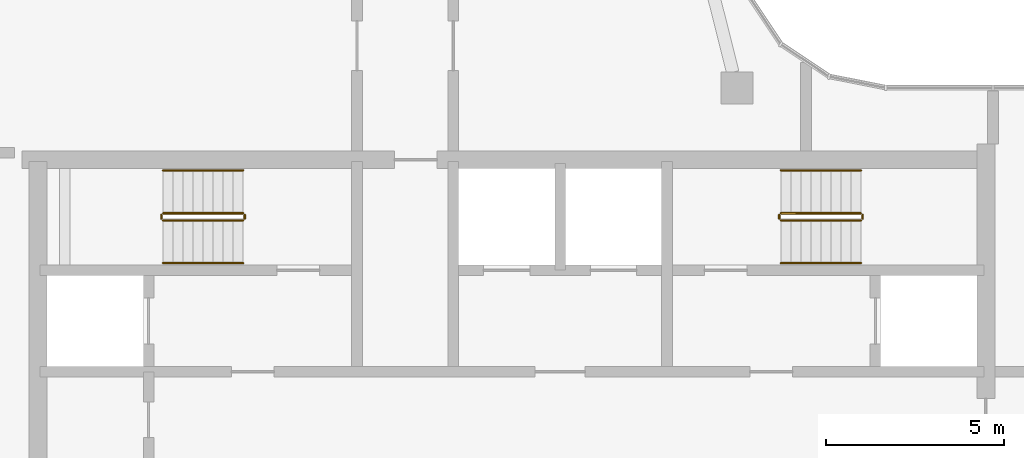
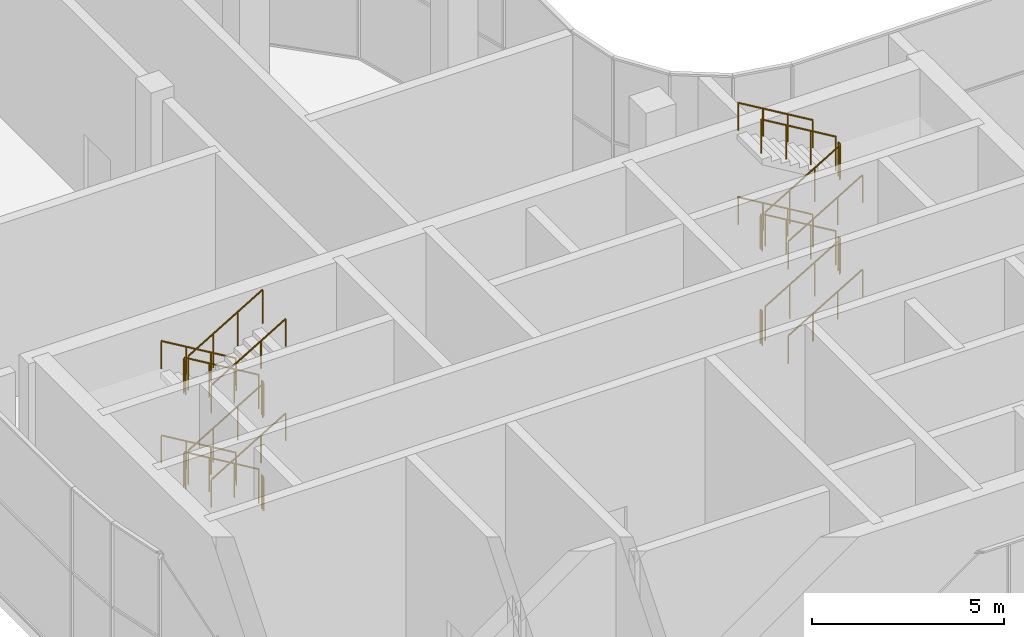
# One storey, part 18 of 19: 24 railings.
"""IFC4 building model written with IfcOpenShell, lengths in metres."""

from ifc_helpers import new_model, si_unit, direction, frame, origin, origin_2d, place, context, subcontext, project, spatial, circle, extrude, material, type_object, element, save


model = new_model("IFC4")

# Units and contexts
model_context = context("Model", 3, precision=1e-05, world=origin(), true_north=direction((0.0, 1.0)))
body_context = subcontext(model_context, "Body", "Model", "MODEL_VIEW")
ifc_project = project(units=[si_unit("LENGTHUNIT", "METRE"), si_unit("AREAUNIT", "SQUARE_METRE"), si_unit("VOLUMEUNIT", "CUBIC_METRE"), si_unit("PLANEANGLEUNIT", "RADIAN"), si_unit("MASSUNIT", "GRAM", prefix="KILO")], contexts=[model_context])

# Site, building, storey
site_placement = place(None, origin())
site = spatial("IfcSite", under=ifc_project, at=site_placement, CompositionType="ELEMENT")
building_placement = place(site_placement, origin())
building = spatial("IfcBuilding", under=site, at=building_placement, Name="Ogive Portal Towers", CompositionType="ELEMENT")
storey_placement = place(building_placement, frame((0.0, 0.0, 254.89990234375)))
storey = spatial("IfcBuildingStorey", under=building, at=storey_placement, Name="L63", CompositionType="ELEMENT", Elevation=254.89990234375)

# Railings
ifc_material_1 = material(Name="Stainless steel balustrade", Category="steel")
railing_type_1 = type_object("IfcRailingType", Name="INT-GUARD", PredefinedType="GUARDRAIL", material=ifc_material_1)
railing_1_placement = place(storey_placement, frame((37.449951171875, 37.800048828125, 0.166748046875)))
element("IfcRailing", 1, at=railing_1_placement, inside=storey, type_object=railing_type_1, Name="L63 ST-A1 stair guard 1", PredefinedType="GUARDRAIL", context=body_context, shape_type="SweptSolid", body=[
    extrude(circle(Radius=0.02392578125, at=origin_2d()), frame((0.0, 0.0, 1.076171875), z_axis=(-0.859305625298, 0.0, 0.511462454469), x_axis=(0.0, -1.0, 0.0)), (0.0, 0.0, 1.0), 2.606689453125),
    extrude(circle(Radius=0.02099609375, at=origin_2d()), origin(), (0.0, 0.0, 1.0), 1.052001953125),
    extrude(circle(Radius=0.02099609375, at=origin_2d()), frame((-0.74658203125, 0.0, 0.4443359375)), (0.0, 0.0, 1.0), 1.052001953125),
    extrude(circle(Radius=0.02099609375, at=origin_2d()), frame((-1.493408203125, 0.0, 0.888916015625)), (0.0, 0.0, 1.0), 1.052001953125),
    extrude(circle(Radius=0.02099609375, at=origin_2d()), frame((-2.239990234375, 0.0, 1.333251953125)), (0.0, 0.0, 1.0), 1.052001953125),
])
railing_2_placement = place(storey_placement, frame((35.159912109375, 37.75, 1.5)))
element("IfcRailing", 2, at=railing_2_placement, inside=storey, type_object=railing_type_1, Name="L63 ST-A1 stair guard 2", PredefinedType="GUARDRAIL", context=body_context, shape_type="SweptSolid", body=[
    extrude(circle(Radius=0.02392578125, at=origin_2d()), frame((0.0, 0.0, 1.076171875), z_axis=(0.0, -1.0, 0.0), x_axis=(1.0, 0.0, 0.0)), (0.0, 0.0, 1.0), 0.10009765625),
    extrude(circle(Radius=0.02099609375, at=origin_2d()), origin(), (0.0, 0.0, 1.0), 1.052001953125),
    extrude(circle(Radius=0.02099609375, at=origin_2d()), frame((0.0, -0.10009765625, 0.0)), (0.0, 0.0, 1.0), 1.052001953125),
])
railing_3_placement = place(storey_placement, frame((35.2099609375, 37.60009765625, 1.666748046875)))
element("IfcRailing", 3, at=railing_3_placement, inside=storey, type_object=railing_type_1, Name="L63 ST-A1 stair guard 3", PredefinedType="GUARDRAIL", context=body_context, shape_type="SweptSolid", body=[
    extrude(circle(Radius=0.02392578125, at=origin_2d()), frame((0.0, 0.0, 1.076171875), z_axis=(0.859305625298, 0.0, 0.511462454469), x_axis=(0.0, 1.0, 0.0)), (0.0, 0.0, 1.0), 2.606689453125),
    extrude(circle(Radius=0.02099609375, at=origin_2d()), origin(), (0.0, 0.0, 1.0), 1.052001953125),
    extrude(circle(Radius=0.02099609375, at=origin_2d()), frame((0.74658203125, 0.0, 0.4443359375)), (0.0, 0.0, 1.0), 1.052001953125),
    extrude(circle(Radius=0.02099609375, at=origin_2d()), frame((1.493408203125, 0.0, 0.888916015625)), (0.0, 0.0, 1.0), 1.052001953125),
    extrude(circle(Radius=0.02099609375, at=origin_2d()), frame((2.239990234375, 0.0, 1.333251953125)), (0.0, 0.0, 1.0), 1.052001953125),
])
railing_4_placement = place(storey_placement, frame((37.5, 37.75, 3.0)))
element("IfcRailing", 4, at=railing_4_placement, inside=storey, type_object=railing_type_1, Name="L63 ST-A1 stair guard 4", PredefinedType="GUARDRAIL", context=body_context, shape_type="SweptSolid", body=[
    extrude(circle(Radius=0.02392578125, at=origin_2d()), frame((0.0, 0.0, 1.076171875), z_axis=(0.0, -1.0, 0.0), x_axis=(1.0, 0.0, 0.0)), (0.0, 0.0, 1.0), 0.10009765625),
    extrude(circle(Radius=0.02099609375, at=origin_2d()), origin(), (0.0, 0.0, 1.0), 1.052001953125),
    extrude(circle(Radius=0.02099609375, at=origin_2d()), frame((0.0, -0.10009765625, 0.0)), (0.0, 0.0, 1.0), 1.052001953125),
])
railing_5_placement = place(storey_placement, frame((37.449951171875, 37.800048828125, 3.166748046875)))
element("IfcRailing", 5, at=railing_5_placement, inside=storey, type_object=railing_type_1, Name="L63 ST-A1 stair guard 5", PredefinedType="GUARDRAIL", context=body_context, shape_type="SweptSolid", body=[
    extrude(circle(Radius=0.02392578125, at=origin_2d()), frame((0.0, 0.0, 1.076171875), z_axis=(-0.859305625298, 0.0, 0.511462454469), x_axis=(0.0, -1.0, 0.0)), (0.0, 0.0, 1.0), 2.606689453125),
    extrude(circle(Radius=0.02099609375, at=origin_2d()), origin(), (0.0, 0.0, 1.0), 1.052001953125),
    extrude(circle(Radius=0.02099609375, at=origin_2d()), frame((-0.74658203125, 0.0, 0.4443359375)), (0.0, 0.0, 1.0), 1.052001953125),
    extrude(circle(Radius=0.02099609375, at=origin_2d()), frame((-1.493408203125, 0.0, 0.888916015625)), (0.0, 0.0, 1.0), 1.052001953125),
    extrude(circle(Radius=0.02099609375, at=origin_2d()), frame((-2.239990234375, 0.0, 1.333251953125)), (0.0, 0.0, 1.0), 1.052001953125),
])
railing_6_placement = place(storey_placement, frame((35.159912109375, 37.75, 4.5)))
element("IfcRailing", 6, at=railing_6_placement, inside=storey, type_object=railing_type_1, Name="L63 ST-A1 stair guard 6", PredefinedType="GUARDRAIL", context=body_context, shape_type="SweptSolid", body=[
    extrude(circle(Radius=0.02392578125, at=origin_2d()), frame((0.0, 0.0, 1.076171875), z_axis=(0.0, -1.0, 0.0), x_axis=(1.0, 0.0, 0.0)), (0.0, 0.0, 1.0), 0.10009765625),
    extrude(circle(Radius=0.02099609375, at=origin_2d()), origin(), (0.0, 0.0, 1.0), 1.052001953125),
    extrude(circle(Radius=0.02099609375, at=origin_2d()), frame((0.0, -0.10009765625, 0.0)), (0.0, 0.0, 1.0), 1.052001953125),
])
railing_7_placement = place(storey_placement, frame((35.2099609375, 37.60009765625, 4.666748046875)))
element("IfcRailing", 7, at=railing_7_placement, inside=storey, type_object=railing_type_1, Name="L63 ST-A1 stair guard 7", PredefinedType="GUARDRAIL", context=body_context, shape_type="SweptSolid", body=[
    extrude(circle(Radius=0.02392578125, at=origin_2d()), frame((0.0, 0.0, 1.076171875), z_axis=(0.859305625298, 0.0, 0.511462454469), x_axis=(0.0, 1.0, 0.0)), (0.0, 0.0, 1.0), 2.606689453125),
    extrude(circle(Radius=0.02099609375, at=origin_2d()), origin(), (0.0, 0.0, 1.0), 1.052001953125),
    extrude(circle(Radius=0.02099609375, at=origin_2d()), frame((0.74658203125, 0.0, 0.4443359375)), (0.0, 0.0, 1.0), 1.052001953125),
    extrude(circle(Radius=0.02099609375, at=origin_2d()), frame((1.493408203125, 0.0, 0.888916015625)), (0.0, 0.0, 1.0), 1.052001953125),
    extrude(circle(Radius=0.02099609375, at=origin_2d()), frame((2.239990234375, 0.0, 1.333251953125)), (0.0, 0.0, 1.0), 1.052001953125),
])
railing_8_placement = place(storey_placement, frame((37.5, 37.75, 0.0)))
element("IfcRailing", 8, at=railing_8_placement, inside=storey, type_object=railing_type_1, Name="L63 ST-A1 stair guard 8", PredefinedType="GUARDRAIL", context=body_context, shape_type="SweptSolid", body=[
    extrude(circle(Radius=0.02392578125, at=origin_2d()), frame((0.0, 0.0, 1.076171875), z_axis=(0.0, -1.0, 0.0), x_axis=(1.0, 0.0, 0.0)), (0.0, 0.0, 1.0), 0.10009765625),
    extrude(circle(Radius=0.02099609375, at=origin_2d()), origin(), (0.0, 0.0, 1.0), 1.052001953125),
    extrude(circle(Radius=0.02099609375, at=origin_2d()), frame((0.0, -0.10009765625, 0.0)), (0.0, 0.0, 1.0), 1.052001953125),
])
railing_9_placement = place(storey_placement, frame((52.550048828125, 37.60009765625, 0.166748046875)))
element("IfcRailing", 9, at=railing_9_placement, inside=storey, type_object=railing_type_1, Name="L63 ST-A2 stair guard 1", PredefinedType="GUARDRAIL", context=body_context, shape_type="SweptSolid", body=[
    extrude(circle(Radius=0.02392578125, at=origin_2d()), frame((0.0, 0.0, 1.076171875), z_axis=(0.859305625298, 0.0, 0.511462454469), x_axis=(0.0, 1.0, 0.0)), (0.0, 0.0, 1.0), 2.606689453125),
    extrude(circle(Radius=0.02099609375, at=origin_2d()), origin(), (0.0, 0.0, 1.0), 1.052001953125),
    extrude(circle(Radius=0.02099609375, at=origin_2d()), frame((0.74658203125, 0.0, 0.4443359375)), (0.0, 0.0, 1.0), 1.052001953125),
    extrude(circle(Radius=0.02099609375, at=origin_2d()), frame((1.493408203125, 0.0, 0.888916015625)), (0.0, 0.0, 1.0), 1.052001953125),
    extrude(circle(Radius=0.02099609375, at=origin_2d()), frame((2.239990234375, 0.0, 1.333251953125)), (0.0, 0.0, 1.0), 1.052001953125),
])
railing_10_placement = place(storey_placement, frame((54.840087890625, 37.64990234375, 1.5)))
element("IfcRailing", 10, at=railing_10_placement, inside=storey, type_object=railing_type_1, Name="L63 ST-A2 stair guard 2", PredefinedType="GUARDRAIL", context=body_context, shape_type="SweptSolid", body=[
    extrude(circle(Radius=0.02392578125, at=origin_2d()), frame((0.0, 0.0, 1.076171875), z_axis=(0.0, 1.0, 0.0), x_axis=(-1.0, 0.0, 0.0)), (0.0, 0.0, 1.0), 0.10009765625),
    extrude(circle(Radius=0.02099609375, at=origin_2d()), origin(), (0.0, 0.0, 1.0), 1.052001953125),
    extrude(circle(Radius=0.02099609375, at=origin_2d()), frame((0.0, 0.10009765625, 0.0)), (0.0, 0.0, 1.0), 1.052001953125),
])
railing_11_placement = place(storey_placement, frame((54.7900390625, 37.800048828125, 1.666748046875)))
element("IfcRailing", 11, at=railing_11_placement, inside=storey, type_object=railing_type_1, Name="L63 ST-A2 stair guard 3", PredefinedType="GUARDRAIL", context=body_context, shape_type="SweptSolid", body=[
    extrude(circle(Radius=0.02392578125, at=origin_2d()), frame((0.0, 0.0, 1.076171875), z_axis=(-0.859305625298, 0.0, 0.511462454469), x_axis=(0.0, -1.0, 0.0)), (0.0, 0.0, 1.0), 2.606689453125),
    extrude(circle(Radius=0.02099609375, at=origin_2d()), origin(), (0.0, 0.0, 1.0), 1.052001953125),
    extrude(circle(Radius=0.02099609375, at=origin_2d()), frame((-0.74658203125, 0.0, 0.4443359375)), (0.0, 0.0, 1.0), 1.052001953125),
    extrude(circle(Radius=0.02099609375, at=origin_2d()), frame((-1.493408203125, 0.0, 0.888916015625)), (0.0, 0.0, 1.0), 1.052001953125),
    extrude(circle(Radius=0.02099609375, at=origin_2d()), frame((-2.239990234375, 0.0, 1.333251953125)), (0.0, 0.0, 1.0), 1.052001953125),
])
railing_12_placement = place(storey_placement, frame((52.5, 37.64990234375, 3.0)))
element("IfcRailing", 12, at=railing_12_placement, inside=storey, type_object=railing_type_1, Name="L63 ST-A2 stair guard 4", PredefinedType="GUARDRAIL", context=body_context, shape_type="SweptSolid", body=[
    extrude(circle(Radius=0.02392578125, at=origin_2d()), frame((0.0, 0.0, 1.076171875), z_axis=(0.0, 1.0, 0.0), x_axis=(-1.0, 0.0, 0.0)), (0.0, 0.0, 1.0), 0.10009765625),
    extrude(circle(Radius=0.02099609375, at=origin_2d()), origin(), (0.0, 0.0, 1.0), 1.052001953125),
    extrude(circle(Radius=0.02099609375, at=origin_2d()), frame((0.0, 0.10009765625, 0.0)), (0.0, 0.0, 1.0), 1.052001953125),
])
railing_13_placement = place(storey_placement, frame((52.550048828125, 37.60009765625, 3.166748046875)))
element("IfcRailing", 13, at=railing_13_placement, inside=storey, type_object=railing_type_1, Name="L63 ST-A2 stair guard 5", PredefinedType="GUARDRAIL", context=body_context, shape_type="SweptSolid", body=[
    extrude(circle(Radius=0.02392578125, at=origin_2d()), frame((0.0, 0.0, 1.076171875), z_axis=(0.859305625298, 0.0, 0.511462454469), x_axis=(0.0, 1.0, 0.0)), (0.0, 0.0, 1.0), 2.606689453125),
    extrude(circle(Radius=0.02099609375, at=origin_2d()), origin(), (0.0, 0.0, 1.0), 1.052001953125),
    extrude(circle(Radius=0.02099609375, at=origin_2d()), frame((0.74658203125, 0.0, 0.4443359375)), (0.0, 0.0, 1.0), 1.052001953125),
    extrude(circle(Radius=0.02099609375, at=origin_2d()), frame((1.493408203125, 0.0, 0.888916015625)), (0.0, 0.0, 1.0), 1.052001953125),
    extrude(circle(Radius=0.02099609375, at=origin_2d()), frame((2.239990234375, 0.0, 1.333251953125)), (0.0, 0.0, 1.0), 1.052001953125),
])
railing_14_placement = place(storey_placement, frame((54.840087890625, 37.64990234375, 4.5)))
element("IfcRailing", 14, at=railing_14_placement, inside=storey, type_object=railing_type_1, Name="L63 ST-A2 stair guard 6", PredefinedType="GUARDRAIL", context=body_context, shape_type="SweptSolid", body=[
    extrude(circle(Radius=0.02392578125, at=origin_2d()), frame((0.0, 0.0, 1.076171875), z_axis=(0.0, 1.0, 0.0), x_axis=(-1.0, 0.0, 0.0)), (0.0, 0.0, 1.0), 0.10009765625),
    extrude(circle(Radius=0.02099609375, at=origin_2d()), origin(), (0.0, 0.0, 1.0), 1.052001953125),
    extrude(circle(Radius=0.02099609375, at=origin_2d()), frame((0.0, 0.10009765625, 0.0)), (0.0, 0.0, 1.0), 1.052001953125),
])
railing_15_placement = place(storey_placement, frame((54.7900390625, 37.800048828125, 4.666748046875)))
element("IfcRailing", 15, at=railing_15_placement, inside=storey, type_object=railing_type_1, Name="L63 ST-A2 stair guard 7", PredefinedType="GUARDRAIL", context=body_context, shape_type="SweptSolid", body=[
    extrude(circle(Radius=0.02392578125, at=origin_2d()), frame((0.0, 0.0, 1.076171875), z_axis=(-0.859305625298, 0.0, 0.511462454469), x_axis=(0.0, -1.0, 0.0)), (0.0, 0.0, 1.0), 2.606689453125),
    extrude(circle(Radius=0.02099609375, at=origin_2d()), origin(), (0.0, 0.0, 1.0), 1.052001953125),
    extrude(circle(Radius=0.02099609375, at=origin_2d()), frame((-0.74658203125, 0.0, 0.4443359375)), (0.0, 0.0, 1.0), 1.052001953125),
    extrude(circle(Radius=0.02099609375, at=origin_2d()), frame((-1.493408203125, 0.0, 0.888916015625)), (0.0, 0.0, 1.0), 1.052001953125),
    extrude(circle(Radius=0.02099609375, at=origin_2d()), frame((-2.239990234375, 0.0, 1.333251953125)), (0.0, 0.0, 1.0), 1.052001953125),
])
railing_16_placement = place(storey_placement, frame((52.5, 37.64990234375, 0.0)))
element("IfcRailing", 16, at=railing_16_placement, inside=storey, type_object=railing_type_1, Name="L63 ST-A2 stair guard 8", PredefinedType="GUARDRAIL", context=body_context, shape_type="SweptSolid", body=[
    extrude(circle(Radius=0.02392578125, at=origin_2d()), frame((0.0, 0.0, 1.076171875), z_axis=(0.0, 1.0, 0.0), x_axis=(-1.0, 0.0, 0.0)), (0.0, 0.0, 1.0), 0.10009765625),
    extrude(circle(Radius=0.02099609375, at=origin_2d()), origin(), (0.0, 0.0, 1.0), 1.052001953125),
    extrude(circle(Radius=0.02099609375, at=origin_2d()), frame((0.0, 0.10009765625, 0.0)), (0.0, 0.0, 1.0), 1.052001953125),
])
ifc_material_2 = material(Name="Stainless steel handrail", Category="steel")
railing_type_2 = type_object("IfcRailingType", Name="INT-HANDRAIL", PredefinedType="HANDRAIL", material=ifc_material_2)
railing_17_placement = place(storey_placement, frame((37.449951171875, 39.0, 0.166748046875)))
element("IfcRailing", 17, at=railing_17_placement, inside=storey, type_object=railing_type_2, Name="L63 ST-A1 stair handrail 1", PredefinedType="HANDRAIL", context=body_context, shape_type="SweptSolid", body=[
    extrude(circle(Radius=0.02392578125, at=origin_2d()), frame((0.0, 0.0, 0.8759765625), z_axis=(-0.859305625298, 0.0, 0.511462454469), x_axis=(0.0, -1.0, 0.0)), (0.0, 0.0, 1.0), 2.606689453125),
    extrude(circle(Radius=0.02099609375, at=origin_2d()), origin(), (0.0, 0.0, 1.0), 0.851806640625),
    extrude(circle(Radius=0.02099609375, at=origin_2d()), frame((-0.74658203125, 0.0, 0.4443359375)), (0.0, 0.0, 1.0), 0.851806640625),
    extrude(circle(Radius=0.02099609375, at=origin_2d()), frame((-1.493408203125, 0.0, 0.888916015625)), (0.0, 0.0, 1.0), 0.851806640625),
    extrude(circle(Radius=0.02099609375, at=origin_2d()), frame((-2.239990234375, 0.0, 1.333251953125)), (0.0, 0.0, 1.0), 0.851806640625),
])
railing_18_placement = place(storey_placement, frame((35.2099609375, 36.39990234375, 1.666748046875)))
element("IfcRailing", 18, at=railing_18_placement, inside=storey, type_object=railing_type_2, Name="L63 ST-A1 stair handrail 2", PredefinedType="HANDRAIL", context=body_context, shape_type="SweptSolid", body=[
    extrude(circle(Radius=0.02392578125, at=origin_2d()), frame((0.0, 0.0, 0.8759765625), z_axis=(0.859305625298, 0.0, 0.511462454469), x_axis=(0.0, 1.0, 0.0)), (0.0, 0.0, 1.0), 2.606689453125),
    extrude(circle(Radius=0.02099609375, at=origin_2d()), origin(), (0.0, 0.0, 1.0), 0.851806640625),
    extrude(circle(Radius=0.02099609375, at=origin_2d()), frame((0.74658203125, 0.0, 0.4443359375)), (0.0, 0.0, 1.0), 0.851806640625),
    extrude(circle(Radius=0.02099609375, at=origin_2d()), frame((1.493408203125, 0.0, 0.888916015625)), (0.0, 0.0, 1.0), 0.851806640625),
    extrude(circle(Radius=0.02099609375, at=origin_2d()), frame((2.239990234375, 0.0, 1.333251953125)), (0.0, 0.0, 1.0), 0.851806640625),
])
railing_19_placement = place(storey_placement, frame((37.449951171875, 39.0, 3.166748046875)))
element("IfcRailing", 19, at=railing_19_placement, inside=storey, type_object=railing_type_2, Name="L63 ST-A1 stair handrail 3", PredefinedType="HANDRAIL", context=body_context, shape_type="SweptSolid", body=[
    extrude(circle(Radius=0.02392578125, at=origin_2d()), frame((0.0, 0.0, 0.8759765625), z_axis=(-0.859305625298, 0.0, 0.511462454469), x_axis=(0.0, -1.0, 0.0)), (0.0, 0.0, 1.0), 2.606689453125),
    extrude(circle(Radius=0.02099609375, at=origin_2d()), origin(), (0.0, 0.0, 1.0), 0.851806640625),
    extrude(circle(Radius=0.02099609375, at=origin_2d()), frame((-0.74658203125, 0.0, 0.4443359375)), (0.0, 0.0, 1.0), 0.851806640625),
    extrude(circle(Radius=0.02099609375, at=origin_2d()), frame((-1.493408203125, 0.0, 0.888916015625)), (0.0, 0.0, 1.0), 0.851806640625),
    extrude(circle(Radius=0.02099609375, at=origin_2d()), frame((-2.239990234375, 0.0, 1.333251953125)), (0.0, 0.0, 1.0), 0.851806640625),
])
for number, where, name in (
    (20, (35.2099609375, 36.39990234375, 4.666748046875), "L63 ST-A1 stair handrail 4"),
    (21, (52.550048828125, 36.39990234375, 0.166748046875), "L63 ST-A2 stair handrail 1"),
):
    element("IfcRailing", number, at=place(storey_placement, frame(where)), inside=storey, type_object=railing_type_2, Name=name, PredefinedType="HANDRAIL", context=body_context, shape_type="SweptSolid", body=[
        extrude(circle(Radius=0.02392578125, at=origin_2d()), frame((0.0, 0.0, 0.8759765625), z_axis=(0.859305625298, 0.0, 0.511462454469), x_axis=(0.0, 1.0, 0.0)), (0.0, 0.0, 1.0), 2.606689453125),
        extrude(circle(Radius=0.02099609375, at=origin_2d()), origin(), (0.0, 0.0, 1.0), 0.851806640625),
        extrude(circle(Radius=0.02099609375, at=origin_2d()), frame((0.74658203125, 0.0, 0.4443359375)), (0.0, 0.0, 1.0), 0.851806640625),
        extrude(circle(Radius=0.02099609375, at=origin_2d()), frame((1.493408203125, 0.0, 0.888916015625)), (0.0, 0.0, 1.0), 0.851806640625),
        extrude(circle(Radius=0.02099609375, at=origin_2d()), frame((2.239990234375, 0.0, 1.333251953125)), (0.0, 0.0, 1.0), 0.851806640625),
    ])
railing_20_placement = place(storey_placement, frame((54.7900390625, 39.0, 1.666748046875)))
element("IfcRailing", 22, at=railing_20_placement, inside=storey, type_object=railing_type_2, Name="L63 ST-A2 stair handrail 2", PredefinedType="HANDRAIL", context=body_context, shape_type="SweptSolid", body=[
    extrude(circle(Radius=0.02392578125, at=origin_2d()), frame((0.0, 0.0, 0.8759765625), z_axis=(-0.859305625298, 0.0, 0.511462454469), x_axis=(0.0, -1.0, 0.0)), (0.0, 0.0, 1.0), 2.606689453125),
    extrude(circle(Radius=0.02099609375, at=origin_2d()), origin(), (0.0, 0.0, 1.0), 0.851806640625),
    extrude(circle(Radius=0.02099609375, at=origin_2d()), frame((-0.74658203125, 0.0, 0.4443359375)), (0.0, 0.0, 1.0), 0.851806640625),
    extrude(circle(Radius=0.02099609375, at=origin_2d()), frame((-1.493408203125, 0.0, 0.888916015625)), (0.0, 0.0, 1.0), 0.851806640625),
    extrude(circle(Radius=0.02099609375, at=origin_2d()), frame((-2.239990234375, 0.0, 1.333251953125)), (0.0, 0.0, 1.0), 0.851806640625),
])
railing_21_placement = place(storey_placement, frame((52.550048828125, 36.39990234375, 3.166748046875)))
element("IfcRailing", 23, at=railing_21_placement, inside=storey, type_object=railing_type_2, Name="L63 ST-A2 stair handrail 3", PredefinedType="HANDRAIL", context=body_context, shape_type="SweptSolid", body=[
    extrude(circle(Radius=0.02392578125, at=origin_2d()), frame((0.0, 0.0, 0.8759765625), z_axis=(0.859305625298, 0.0, 0.511462454469), x_axis=(0.0, 1.0, 0.0)), (0.0, 0.0, 1.0), 2.606689453125),
    extrude(circle(Radius=0.02099609375, at=origin_2d()), origin(), (0.0, 0.0, 1.0), 0.851806640625),
    extrude(circle(Radius=0.02099609375, at=origin_2d()), frame((0.74658203125, 0.0, 0.4443359375)), (0.0, 0.0, 1.0), 0.851806640625),
    extrude(circle(Radius=0.02099609375, at=origin_2d()), frame((1.493408203125, 0.0, 0.888916015625)), (0.0, 0.0, 1.0), 0.851806640625),
    extrude(circle(Radius=0.02099609375, at=origin_2d()), frame((2.239990234375, 0.0, 1.333251953125)), (0.0, 0.0, 1.0), 0.851806640625),
])
railing_22_placement = place(storey_placement, frame((54.7900390625, 39.0, 4.666748046875)))
element("IfcRailing", 24, at=railing_22_placement, inside=storey, type_object=railing_type_2, Name="L63 ST-A2 stair handrail 4", PredefinedType="HANDRAIL", context=body_context, shape_type="SweptSolid", body=[
    extrude(circle(Radius=0.02392578125, at=origin_2d()), frame((0.0, 0.0, 0.8759765625), z_axis=(-0.859305625298, 0.0, 0.511462454469), x_axis=(0.0, -1.0, 0.0)), (0.0, 0.0, 1.0), 2.606689453125),
    extrude(circle(Radius=0.02099609375, at=origin_2d()), origin(), (0.0, 0.0, 1.0), 0.851806640625),
    extrude(circle(Radius=0.02099609375, at=origin_2d()), frame((-0.74658203125, 0.0, 0.4443359375)), (0.0, 0.0, 1.0), 0.851806640625),
    extrude(circle(Radius=0.02099609375, at=origin_2d()), frame((-1.493408203125, 0.0, 0.888916015625)), (0.0, 0.0, 1.0), 0.851806640625),
    extrude(circle(Radius=0.02099609375, at=origin_2d()), frame((-2.239990234375, 0.0, 1.333251953125)), (0.0, 0.0, 1.0), 0.851806640625),
])

save(model, "model.ifc")
